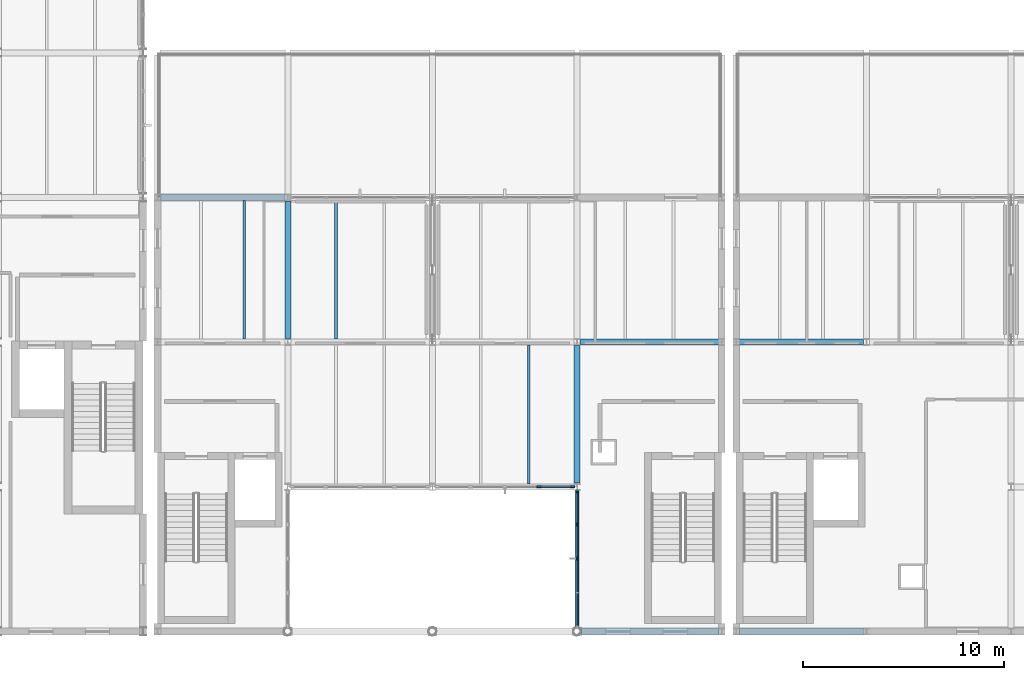
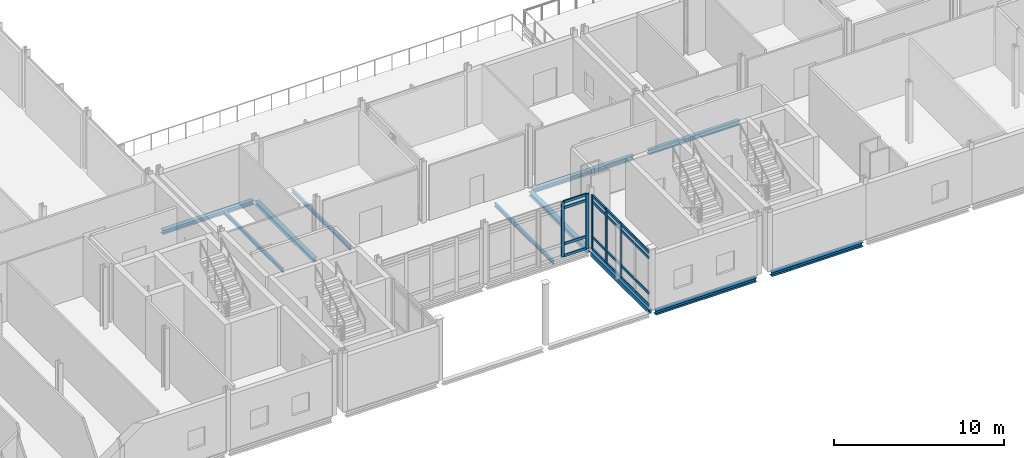
# One storey, part 10 of 53: 25 members, 11 beams, 2 elements without a shape of their own.
"""IFC4 building model written with IfcOpenShell, lengths in metres."""

from ifc_helpers import new_model, si_unit, direction, frame, origin, origin_2d, place, context, subcontext, project, spatial, rectangle, hollow_rectangle, i_section, extrude, material, layer, layer_set, material_profile, profile_set, type_object, element, aggregate, save


model = new_model("IFC4")

# Units and contexts
model_context = context("Model", 3, precision=1e-05, world=origin(), true_north=direction((0.0, 1.0)))
body_context = subcontext(model_context, "Body", "Model", "MODEL_VIEW")
ifc_project = project(units=[si_unit("LENGTHUNIT", "METRE"), si_unit("AREAUNIT", "SQUARE_METRE"), si_unit("VOLUMEUNIT", "CUBIC_METRE"), si_unit("PLANEANGLEUNIT", "RADIAN"), si_unit("MASSUNIT", "GRAM", prefix="KILO")], contexts=[model_context])

# Site, building, storey
site_placement = place(None, origin())
site = spatial("IfcSite", under=ifc_project, at=site_placement, CompositionType="ELEMENT")
building_placement = place(site_placement, origin())
building = spatial("IfcBuilding", under=site, at=building_placement, Name="Zarrinpeak Specialist Clinic", CompositionType="ELEMENT")
storey_placement = place(building_placement, frame((0.0, 0.0, 14.0)))
storey = spatial("IfcBuildingStorey", under=building, at=storey_placement, Name="L03", CompositionType="ELEMENT", Elevation=14.0)

# Beams
ifc_material_1 = material(Name="Steel S355", Category="steel")
ifc_material_profile_1 = material_profile(ifc_material_1, i_section(OverallWidth=0.300048828125, OverallDepth=0.2900390625, WebThickness=0.008544921875, FlangeThickness=0.013916015625, FilletRadius=0.027099609375, at=origin_2d()), Name="HEA 300")
ifc_profile_set_1 = profile_set([ifc_material_profile_1], Name="Steel S355")
beam_type_1 = type_object("IfcBeamType", Name="BM-HEA300", PredefinedType="BEAM", material=ifc_profile_set_1)
beam_1_placement = place(storey_placement, frame((50.601318359375, 0.0, -0.344970703125), z_axis=(1.0, 0.0, 0.0), x_axis=(0.0, 1.0, 0.0)))
element("IfcBeam", 1, at=beam_1_placement, inside=storey, type_object=beam_type_1, Name="L03 Primary Floor Girder BM-L03-X1493", PredefinedType="BEAM", context=body_context, shape_type="SweptSolid", body=[
    extrude(i_section(OverallWidth=0.300048828125, OverallDepth=0.2900390625, WebThickness=0.008544921875, FlangeThickness=0.013916015625, FilletRadius=0.027099609375, at=origin_2d()), origin(), (0.0, 0.0, 1.0), 6.8505859375),
])
beam_2_placement = place(storey_placement, frame((58.468017578125, 0.0, -0.344970703125), z_axis=(1.0, 0.0, 0.0), x_axis=(0.0, 1.0, 0.0)))
element("IfcBeam", 2, at=beam_2_placement, inside=storey, type_object=beam_type_1, Name="L03 Primary Floor Girder BM-L03-X1494", PredefinedType="BEAM", context=body_context, shape_type="SweptSolid", body=[
    extrude(i_section(OverallWidth=0.300048828125, OverallDepth=0.2900390625, WebThickness=0.008544921875, FlangeThickness=0.013916015625, FilletRadius=0.027099609375, at=origin_2d()), origin(), (0.0, 0.0, 1.0), 6.18408203125),
])
beam_3_placement = place(storey_placement, frame((50.548095703125, 14.39990234375, -0.344970703125), z_axis=(1.0, 0.0, 0.0), x_axis=(0.0, 1.0, 0.0)))
element("IfcBeam", 3, at=beam_3_placement, inside=storey, type_object=beam_type_1, Name="L03 Primary Floor Girder BM-L03-X1508", PredefinedType="BEAM", context=body_context, shape_type="SweptSolid", body=[
    extrude(i_section(OverallWidth=0.300048828125, OverallDepth=0.2900390625, WebThickness=0.008544921875, FlangeThickness=0.013916015625, FilletRadius=0.027099609375, at=origin_2d()), origin(), (0.0, 0.0, 1.0), 6.90380859375),
])
for number, where, z_axis, x_axis, name in (
    (4, (58.468017578125, 14.39990234375, -0.344970703125), (1.0, 0.0, 0.0), (0.0, 1.0, 0.0), "L03 Primary Floor Girder BM-L03-X1509"),
    (5, (29.66796875, 21.60009765625, -0.344970703125), (1.0, 0.0, 0.0), (0.0, 1.0, 0.0), "L03 Primary Floor Girder BM-L03-X1517"),
):
    element("IfcBeam", number, at=place(storey_placement, frame(where, z_axis=z_axis, x_axis=x_axis)), inside=storey, type_object=beam_type_1, Name=name, PredefinedType="BEAM", context=body_context, shape_type="SweptSolid", body=[
        extrude(i_section(OverallWidth=0.300048828125, OverallDepth=0.2900390625, WebThickness=0.008544921875, FlangeThickness=0.013916015625, FilletRadius=0.027099609375, at=origin_2d()), origin(), (0.0, 0.0, 1.0), 6.18408203125),
    ])
beam_4_placement = place(storey_placement, frame((36.0, 14.577880859375, -0.344970703125), z_axis=(0.0, 1.0, 0.0), x_axis=(-1.0, 0.0, 0.0)))
element("IfcBeam", 6, at=beam_4_placement, inside=storey, type_object=beam_type_1, Name="L03 Primary Beam BM-L03-Y1647", PredefinedType="BEAM", context=body_context, shape_type="SweptSolid", body=[
    extrude(i_section(OverallWidth=0.300048828125, OverallDepth=0.2900390625, WebThickness=0.008544921875, FlangeThickness=0.013916015625, FilletRadius=0.027099609375, at=origin_2d()), origin(), (0.0, 0.0, 1.0), 6.84423828125),
])
beam_5_placement = place(storey_placement, frame((50.39990234375, 7.3779296875, -0.344970703125), z_axis=(0.0, 1.0, 0.0), x_axis=(-1.0, 0.0, 0.0)))
element("IfcBeam", 7, at=beam_5_placement, inside=storey, type_object=beam_type_1, Name="L03 Primary Beam BM-L03-Y1661", PredefinedType="BEAM", context=body_context, shape_type="SweptSolid", body=[
    extrude(i_section(OverallWidth=0.300048828125, OverallDepth=0.2900390625, WebThickness=0.008544921875, FlangeThickness=0.013916015625, FilletRadius=0.027099609375, at=origin_2d()), origin(), (0.0, 0.0, 1.0), 6.843994140625),
])
ifc_material_profile_2 = material_profile(ifc_material_1, i_section(OverallWidth=0.135009765625, OverallDepth=0.27001953125, WebThickness=0.006591796875, FlangeThickness=0.01025390625, FilletRadius=0.014892578125, at=origin_2d()), Name="IPE 270")
ifc_profile_set_2 = profile_set([ifc_material_profile_2], Name="Steel S355")
beam_type_2 = type_object("IfcBeamType", Name="BM-JST270", PredefinedType="JOIST", material=ifc_profile_set_2)
for number, where, z_axis, x_axis, name in (
    (8, (33.840087890625, 14.548095703125, -0.3349609375), (0.0, 1.0, 0.0), (-1.0, 0.0, 0.0), "L03 Composite Floor Joist JST-L03-1738"),
    (9, (38.39990234375, 14.548095703125, -0.3349609375), (0.0, 1.0, 0.0), (-1.0, 0.0, 0.0), "L03 Composite Floor Joist JST-L03-1741"),
):
    element("IfcBeam", number, at=place(storey_placement, frame(where, z_axis=z_axis, x_axis=x_axis)), inside=storey, type_object=beam_type_2, Name=name, PredefinedType="JOIST", context=body_context, shape_type="SweptSolid", body=[
        extrude(i_section(OverallWidth=0.135009765625, OverallDepth=0.27001953125, WebThickness=0.006591796875, FlangeThickness=0.01025390625, FilletRadius=0.014892578125, at=origin_2d()), origin(), (0.0, 0.0, 1.0), 6.90380859375),
    ])
beam_6_placement = place(storey_placement, frame((48.0, 7.347900390625, -0.3349609375), z_axis=(0.0, 1.0, 0.0), x_axis=(-1.0, 0.0, 0.0)))
element("IfcBeam", 10, at=beam_6_placement, inside=storey, type_object=beam_type_2, Name="L03 Composite Floor Joist JST-L03-1744", PredefinedType="JOIST", context=body_context, shape_type="SweptSolid", body=[
    extrude(i_section(OverallWidth=0.135009765625, OverallDepth=0.27001953125, WebThickness=0.006591796875, FlangeThickness=0.01025390625, FilletRadius=0.014892578125, at=origin_2d()), origin(), (0.0, 0.0, 1.0), 6.904052734375),
])
ifc_material_profile_3 = material_profile(ifc_material_1, hollow_rectangle(XDim=0.199951171875, YDim=0.300048828125, WallThickness=0.012451171875, at=origin_2d()), Name="RHS 300x200x12.5")
ifc_profile_set_3 = profile_set([ifc_material_profile_3], Name="Steel S355")
beam_type_3 = type_object("IfcBeamType", Name="BM-SP300", PredefinedType="SPANDREL", material=ifc_profile_set_3)
beam_7_placement = place(storey_placement, frame((50.39990234375, 0.201171875, -0.35009765625), z_axis=(0.0, 1.0, 0.0), x_axis=(-1.0, 0.0, 0.0)))
element("IfcBeam", 11, at=beam_7_placement, inside=storey, type_object=beam_type_3, Name="L03 Perimeter Spandrel Beam BM-L03-Y1660", PredefinedType="SPANDREL", context=body_context, shape_type="SweptSolid", body=[
    extrude(hollow_rectangle(XDim=0.199951171875, YDim=0.300048828125, WallThickness=0.012451171875, at=origin_2d()), origin(), (0.0, 0.0, 1.0), 6.82080078125),
])

# Curtain wall, members
ifc_material_2 = material(Name="Anodised Aluminium Alloy 6063-T6", Category="aluminium")
ifc_layer = layer(ifc_material_2, 0.18994140625)
ifc_layer_set = layer_set([ifc_layer], Name="Anodised Aluminium Alloy 6063-T6")
curtain_wall_type = type_object("IfcCurtainWallType", Name="CW-LOGGIA", PredefinedType="NOTDEFINED", material=ifc_layer_set)
curtain_wall_1_placement = place(storey_placement, origin())
curtain_wall_1 = element("IfcCurtainWall", 12, at=curtain_wall_1_placement, inside=storey, type_object=curtain_wall_type, Name="L03 V2 Unitised Curtain Wall CW-L03-V2-058", PredefinedType="NOTDEFINED")
ifc_material_profile_4 = material_profile(ifc_material_2, rectangle(XDim=0.090087890625, YDim=0.219970703125, at=origin_2d()), Name="ALU 90x220")
ifc_profile_set_4 = profile_set([ifc_material_profile_4], Name="Anodised Aluminium Alloy 6063-T6")
member_type_1 = type_object("IfcMemberType", Name="CWM-90", PredefinedType="MULLION", material=ifc_profile_set_4)
member_1_placement = place(storey_placement, frame((48.512451171875, 7.199951171875, 0.0), z_axis=(0.0, 0.0, 1.0), x_axis=(0.0, 1.0, 0.0)))
member_1 = element("IfcMember", 13, at=member_1_placement, type_object=member_type_1, Name="CW-04 mullion 4", PredefinedType="MULLION", context=body_context, shape_type="SweptSolid", body=[
    extrude(rectangle(XDim=0.090087890625, YDim=0.219970703125, at=origin_2d()), origin(), (0.0, 0.0, 1.0), 3.93505859375),
])
member_2_placement = place(storey_placement, frame((50.179931640625, 7.199951171875, 0.0), z_axis=(0.0, 0.0, 1.0), x_axis=(0.0, 1.0, 0.0)))
member_2 = element("IfcMember", 14, at=member_2_placement, type_object=member_type_1, Name="CW-04 mullion 5", PredefinedType="MULLION", context=body_context, shape_type="SweptSolid", body=[
    extrude(rectangle(XDim=0.090087890625, YDim=0.219970703125, at=origin_2d()), origin(), (0.0, 0.0, 1.0), 3.93505859375),
])

curtain_wall_2_placement = place(storey_placement, origin())
curtain_wall_2 = element("IfcCurtainWall", 15, at=curtain_wall_2_placement, inside=storey, type_object=curtain_wall_type, Name="L03 V2 Unitised Curtain Wall CW-L03-V2-060", PredefinedType="NOTDEFINED")
member_3_placement = place(storey_placement, frame((50.39990234375, 6.969970703125, 0.0), z_axis=(0.0, 0.0, 1.0), x_axis=(1.0, 0.0, 0.0)))
member_3 = element("IfcMember", 16, at=member_3_placement, type_object=member_type_1, Name="CW-04 mullion 1", PredefinedType="MULLION", context=body_context, shape_type="SweptSolid", body=[
    extrude(rectangle(XDim=0.090087890625, YDim=0.219970703125, at=origin_2d()), origin(), (0.0, 0.0, 1.0), 3.885009765625),
])
member_4_placement = place(storey_placement, frame((50.39990234375, 5.318359375, 0.0), z_axis=(0.0, 0.0, 1.0), x_axis=(1.0, 0.0, 0.0)))
member_4 = element("IfcMember", 17, at=member_4_placement, type_object=member_type_1, Name="CW-04 mullion 2", PredefinedType="MULLION", context=body_context, shape_type="SweptSolid", body=[
    extrude(rectangle(XDim=0.090087890625, YDim=0.219970703125, at=origin_2d()), origin(), (0.0, 0.0, 1.0), 3.885009765625),
])
member_5_placement = place(storey_placement, frame((50.39990234375, 3.62158203125, 0.0), z_axis=(0.0, 0.0, 1.0), x_axis=(1.0, 0.0, 0.0)))
member_5 = element("IfcMember", 18, at=member_5_placement, type_object=member_type_1, Name="CW-04 mullion 3", PredefinedType="MULLION", context=body_context, shape_type="SweptSolid", body=[
    extrude(rectangle(XDim=0.090087890625, YDim=0.219970703125, at=origin_2d()), origin(), (0.0, 0.0, 1.0), 3.885009765625),
])

# Member
ifc_material_profile_5 = material_profile(ifc_material_2, rectangle(XDim=0.090087890625, YDim=0.18994140625, at=origin_2d()), Name="ALU 90x190")
ifc_profile_set_5 = profile_set([ifc_material_profile_5], Name="Anodised Aluminium Alloy 6063-T6")
member_type_2 = type_object("IfcMemberType", Name="CWT-90", PredefinedType="USERDEFINED", material=ifc_profile_set_5)
member_6_placement = place(storey_placement, frame((48.5576171875, 7.199951171875, 0.044921875), z_axis=(1.0, 0.0, 0.0), x_axis=(0.0, 1.0, 0.0)))
member_6 = element("IfcMember", 19, at=member_6_placement, type_object=member_type_2, Name="CW-04 transom 4.1", ObjectType="TRANSOM", PredefinedType="USERDEFINED", context=body_context, shape_type="SweptSolid", body=[
    extrude(rectangle(XDim=0.090087890625, YDim=0.18994140625, at=origin_2d()), origin(), (0.0, 0.0, 1.0), 1.577392578125),
])

member_7_placement = place(storey_placement, frame((48.5576171875, 7.199951171875, 0.89990234375), z_axis=(1.0, 0.0, 0.0), x_axis=(0.0, 1.0, 0.0)))
member_7 = element("IfcMember", 20, at=member_7_placement, type_object=member_type_2, Name="CW-04 transom 4.2", ObjectType="TRANSOM", PredefinedType="USERDEFINED", context=body_context, shape_type="SweptSolid", body=[
    extrude(rectangle(XDim=0.090087890625, YDim=0.18994140625, at=origin_2d()), origin(), (0.0, 0.0, 1.0), 1.577392578125),
])

member_8_placement = place(storey_placement, frame((48.5576171875, 7.199951171875, 3.485107421875), z_axis=(1.0, 0.0, 0.0), x_axis=(0.0, 1.0, 0.0)))
member_8 = element("IfcMember", 21, at=member_8_placement, type_object=member_type_2, Name="CW-04 transom 4.3", ObjectType="TRANSOM", PredefinedType="USERDEFINED", context=body_context, shape_type="SweptSolid", body=[
    extrude(rectangle(XDim=0.090087890625, YDim=0.18994140625, at=origin_2d()), origin(), (0.0, 0.0, 1.0), 1.577392578125),
])

member_9_placement = place(storey_placement, frame((48.5576171875, 7.199951171875, 3.889892578125), z_axis=(1.0, 0.0, 0.0), x_axis=(0.0, 1.0, 0.0)))
member_9 = element("IfcMember", 22, at=member_9_placement, type_object=member_type_2, Name="CW-04 transom 4.4", ObjectType="TRANSOM", PredefinedType="USERDEFINED", context=body_context, shape_type="SweptSolid", body=[
    extrude(rectangle(XDim=0.090087890625, YDim=0.18994140625, at=origin_2d()), origin(), (0.0, 0.0, 1.0), 1.577392578125),
])

aggregate(curtain_wall_1, [member_1, member_2, member_6, member_7, member_8, member_9])

member_10_placement = place(storey_placement, frame((50.39990234375, 6.925048828125, 0.044921875), z_axis=(0.0, -1.0, 0.0), x_axis=(1.0, 0.0, 0.0)))
member_10 = element("IfcMember", 23, at=member_10_placement, type_object=member_type_2, Name="CW-04 transom 1.1", ObjectType="TRANSOM", PredefinedType="USERDEFINED", context=body_context, shape_type="SweptSolid", body=[
    extrude(rectangle(XDim=0.090087890625, YDim=0.18994140625, at=origin_2d()), origin(), (0.0, 0.0, 1.0), 1.561767578125),
])

member_11_placement = place(storey_placement, frame((50.39990234375, 6.925048828125, 0.89990234375), z_axis=(0.0, -1.0, 0.0), x_axis=(1.0, 0.0, 0.0)))
member_11 = element("IfcMember", 24, at=member_11_placement, type_object=member_type_2, Name="CW-04 transom 1.2", ObjectType="TRANSOM", PredefinedType="USERDEFINED", context=body_context, shape_type="SweptSolid", body=[
    extrude(rectangle(XDim=0.090087890625, YDim=0.18994140625, at=origin_2d()), origin(), (0.0, 0.0, 1.0), 1.561767578125),
])

member_12_placement = place(storey_placement, frame((50.39990234375, 6.925048828125, 3.43505859375), z_axis=(0.0, -1.0, 0.0), x_axis=(1.0, 0.0, 0.0)))
member_12 = element("IfcMember", 25, at=member_12_placement, type_object=member_type_2, Name="CW-04 transom 1.3", ObjectType="TRANSOM", PredefinedType="USERDEFINED", context=body_context, shape_type="SweptSolid", body=[
    extrude(rectangle(XDim=0.090087890625, YDim=0.18994140625, at=origin_2d()), origin(), (0.0, 0.0, 1.0), 1.561767578125),
])

member_13_placement = place(storey_placement, frame((50.39990234375, 6.925048828125, 3.840087890625), z_axis=(0.0, -1.0, 0.0), x_axis=(1.0, 0.0, 0.0)))
member_13 = element("IfcMember", 26, at=member_13_placement, type_object=member_type_2, Name="CW-04 transom 1.4", ObjectType="TRANSOM", PredefinedType="USERDEFINED", context=body_context, shape_type="SweptSolid", body=[
    extrude(rectangle(XDim=0.090087890625, YDim=0.18994140625, at=origin_2d()), origin(), (0.0, 0.0, 1.0), 1.561767578125),
])

member_14_placement = place(storey_placement, frame((50.39990234375, 5.273193359375, 0.044921875), z_axis=(0.0, -1.0, 0.0), x_axis=(1.0, 0.0, 0.0)))
member_14 = element("IfcMember", 27, at=member_14_placement, type_object=member_type_2, Name="CW-04 transom 2.1", ObjectType="TRANSOM", PredefinedType="USERDEFINED", context=body_context, shape_type="SweptSolid", body=[
    extrude(rectangle(XDim=0.090087890625, YDim=0.18994140625, at=origin_2d()), origin(), (0.0, 0.0, 1.0), 1.606689453125),
])

member_15_placement = place(storey_placement, frame((50.39990234375, 5.273193359375, 0.89990234375), z_axis=(0.0, -1.0, 0.0), x_axis=(1.0, 0.0, 0.0)))
member_15 = element("IfcMember", 28, at=member_15_placement, type_object=member_type_2, Name="CW-04 transom 2.2", ObjectType="TRANSOM", PredefinedType="USERDEFINED", context=body_context, shape_type="SweptSolid", body=[
    extrude(rectangle(XDim=0.090087890625, YDim=0.18994140625, at=origin_2d()), origin(), (0.0, 0.0, 1.0), 1.606689453125),
])

member_16_placement = place(storey_placement, frame((50.39990234375, 5.273193359375, 3.43505859375), z_axis=(0.0, -1.0, 0.0), x_axis=(1.0, 0.0, 0.0)))
member_16 = element("IfcMember", 29, at=member_16_placement, type_object=member_type_2, Name="CW-04 transom 2.3", ObjectType="TRANSOM", PredefinedType="USERDEFINED", context=body_context, shape_type="SweptSolid", body=[
    extrude(rectangle(XDim=0.090087890625, YDim=0.18994140625, at=origin_2d()), origin(), (0.0, 0.0, 1.0), 1.606689453125),
])

member_17_placement = place(storey_placement, frame((50.39990234375, 5.273193359375, 3.840087890625), z_axis=(0.0, -1.0, 0.0), x_axis=(1.0, 0.0, 0.0)))
member_17 = element("IfcMember", 30, at=member_17_placement, type_object=member_type_2, Name="CW-04 transom 2.4", ObjectType="TRANSOM", PredefinedType="USERDEFINED", context=body_context, shape_type="SweptSolid", body=[
    extrude(rectangle(XDim=0.090087890625, YDim=0.18994140625, at=origin_2d()), origin(), (0.0, 0.0, 1.0), 1.606689453125),
])

member_18_placement = place(storey_placement, frame((50.39990234375, 3.57666015625, 0.044921875), z_axis=(0.0, -1.0, 0.0), x_axis=(1.0, 0.0, 0.0)))
member_18 = element("IfcMember", 31, at=member_18_placement, type_object=member_type_2, Name="CW-04 transom 3.1", ObjectType="TRANSOM", PredefinedType="USERDEFINED", context=body_context, shape_type="SweptSolid", body=[
    extrude(rectangle(XDim=0.090087890625, YDim=0.18994140625, at=origin_2d()), origin(), (0.0, 0.0, 1.0), 1.606689453125),
])

member_19_placement = place(storey_placement, frame((50.39990234375, 3.57666015625, 0.89990234375), z_axis=(0.0, -1.0, 0.0), x_axis=(1.0, 0.0, 0.0)))
member_19 = element("IfcMember", 32, at=member_19_placement, type_object=member_type_2, Name="CW-04 transom 3.2", ObjectType="TRANSOM", PredefinedType="USERDEFINED", context=body_context, shape_type="SweptSolid", body=[
    extrude(rectangle(XDim=0.090087890625, YDim=0.18994140625, at=origin_2d()), origin(), (0.0, 0.0, 1.0), 1.606689453125),
])

member_20_placement = place(storey_placement, frame((50.39990234375, 3.57666015625, 3.43505859375), z_axis=(0.0, -1.0, 0.0), x_axis=(1.0, 0.0, 0.0)))
member_20 = element("IfcMember", 33, at=member_20_placement, type_object=member_type_2, Name="CW-04 transom 3.3", ObjectType="TRANSOM", PredefinedType="USERDEFINED", context=body_context, shape_type="SweptSolid", body=[
    extrude(rectangle(XDim=0.090087890625, YDim=0.18994140625, at=origin_2d()), origin(), (0.0, 0.0, 1.0), 1.606689453125),
])

member_21_placement = place(storey_placement, frame((50.39990234375, 3.57666015625, 3.840087890625), z_axis=(0.0, -1.0, 0.0), x_axis=(1.0, 0.0, 0.0)))
member_21 = element("IfcMember", 34, at=member_21_placement, type_object=member_type_2, Name="CW-04 transom 3.4", ObjectType="TRANSOM", PredefinedType="USERDEFINED", context=body_context, shape_type="SweptSolid", body=[
    extrude(rectangle(XDim=0.090087890625, YDim=0.18994140625, at=origin_2d()), origin(), (0.0, 0.0, 1.0), 1.606689453125),
])

member_22_placement = place(storey_placement, frame((50.39990234375, 1.8798828125, 0.044921875), z_axis=(0.0, -1.0, 0.0), x_axis=(1.0, 0.0, 0.0)))
member_22 = element("IfcMember", 35, at=member_22_placement, type_object=member_type_2, Name="CW-04 transom 4.1", ObjectType="TRANSOM", PredefinedType="USERDEFINED", context=body_context, shape_type="SweptSolid", body=[
    extrude(rectangle(XDim=0.090087890625, YDim=0.18994140625, at=origin_2d()), origin(), (0.0, 0.0, 1.0), 1.561767578125),
])

member_23_placement = place(storey_placement, frame((50.39990234375, 1.8798828125, 0.89990234375), z_axis=(0.0, -1.0, 0.0), x_axis=(1.0, 0.0, 0.0)))
member_23 = element("IfcMember", 36, at=member_23_placement, type_object=member_type_2, Name="CW-04 transom 4.2", ObjectType="TRANSOM", PredefinedType="USERDEFINED", context=body_context, shape_type="SweptSolid", body=[
    extrude(rectangle(XDim=0.090087890625, YDim=0.18994140625, at=origin_2d()), origin(), (0.0, 0.0, 1.0), 1.561767578125),
])

member_24_placement = place(storey_placement, frame((50.39990234375, 1.8798828125, 3.43505859375), z_axis=(0.0, -1.0, 0.0), x_axis=(1.0, 0.0, 0.0)))
member_24 = element("IfcMember", 37, at=member_24_placement, type_object=member_type_2, Name="CW-04 transom 4.3", ObjectType="TRANSOM", PredefinedType="USERDEFINED", context=body_context, shape_type="SweptSolid", body=[
    extrude(rectangle(XDim=0.090087890625, YDim=0.18994140625, at=origin_2d()), origin(), (0.0, 0.0, 1.0), 1.561767578125),
])

member_25_placement = place(storey_placement, frame((50.39990234375, 1.8798828125, 3.840087890625), z_axis=(0.0, -1.0, 0.0), x_axis=(1.0, 0.0, 0.0)))
member_25 = element("IfcMember", 38, at=member_25_placement, type_object=member_type_2, Name="CW-04 transom 4.4", ObjectType="TRANSOM", PredefinedType="USERDEFINED", context=body_context, shape_type="SweptSolid", body=[
    extrude(rectangle(XDim=0.090087890625, YDim=0.18994140625, at=origin_2d()), origin(), (0.0, 0.0, 1.0), 1.561767578125),
])

aggregate(curtain_wall_2, [member_3, member_4, member_5, member_10, member_11, member_12, member_13, member_14, member_15, member_16, member_17, member_18, member_19, member_20, member_21, member_22, member_23, member_24, member_25])

save(model, "model.ifc")
